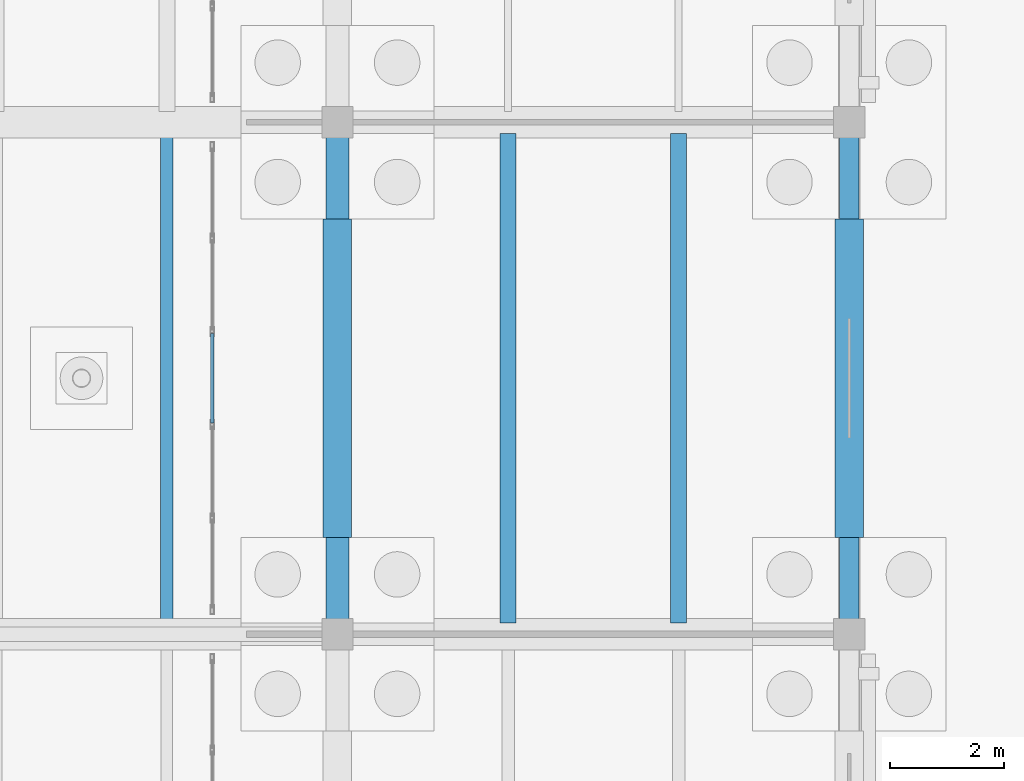
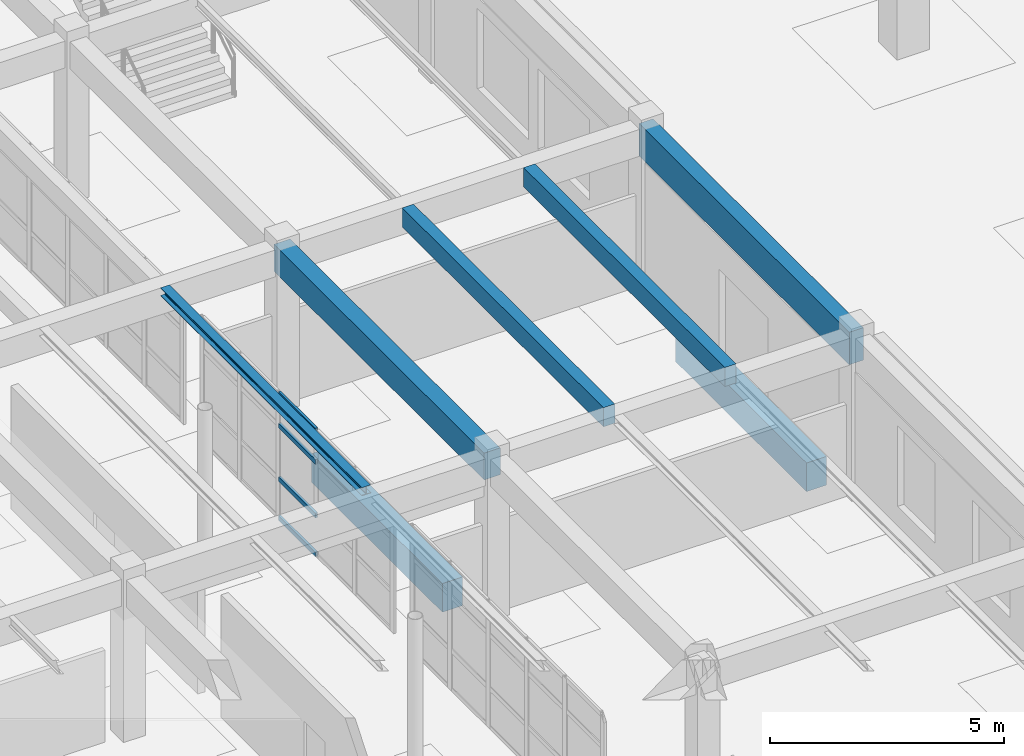
# One storey, part 38 of 186: 7 beams, 4 members, 1 element without a shape of its own.
"""IFC4 building model written with IfcOpenShell, lengths in metres."""

from ifc_helpers import new_model, si_unit, direction, frame, origin, origin_2d, place, context, subcontext, project, spatial, rectangle, hollow_rectangle, i_section, extrude, material, layer, layer_set, material_profile, profile_set, type_object, element, aggregate, save


model = new_model("IFC4")

# Units and contexts
model_context = context("Model", 3, precision=1e-05, world=origin(), true_north=direction((0.0, 1.0)))
body_context = subcontext(model_context, "Body", "Model", "MODEL_VIEW")
ifc_project = project(units=[si_unit("LENGTHUNIT", "METRE"), si_unit("AREAUNIT", "SQUARE_METRE"), si_unit("VOLUMEUNIT", "CUBIC_METRE"), si_unit("PLANEANGLEUNIT", "RADIAN"), si_unit("MASSUNIT", "GRAM", prefix="KILO")], contexts=[model_context])

# Site, building, storey
site_placement = place(None, origin())
site = spatial("IfcSite", under=ifc_project, at=site_placement, CompositionType="ELEMENT")
building_placement = place(site_placement, origin())
building = spatial("IfcBuilding", under=site, at=building_placement, Name="Ornek Quay Market", CompositionType="ELEMENT")
storey_placement = place(building_placement, origin())
storey = spatial("IfcBuildingStorey", under=building, at=storey_placement, Name="L00", CompositionType="ELEMENT", Elevation=0.0)

# Beams
ifc_material_1 = material(Name="Concrete C35/45", Category="concrete")
ifc_material_profile_1 = material_profile(ifc_material_1, rectangle(XDim=0.5, YDim=0.75, at=origin_2d()), Name="RC 500x750", Category="concrete")
ifc_profile_set_1 = profile_set([ifc_material_profile_1], Name="Concrete C35/45")
beam_type_1 = type_object("IfcBeamType", Name="BM-GB-500x750", PredefinedType="BEAM", material=ifc_profile_set_1)
for number, where, z_axis, x_axis, name in (
    (1, (18.0, 39.699951171875, -0.574951171875), (0.0, 1.0, 0.0), (-1.0, 0.0, 0.0), "Ground tie beam GB-068"),
    (2, (27.0, 39.699951171875, -0.574951171875), (0.0, 1.0, 0.0), (-1.0, 0.0, 0.0), "Ground tie beam GB-079"),
):
    element("IfcBeam", number, at=place(storey_placement, frame(where, z_axis=z_axis, x_axis=x_axis)), inside=storey, type_object=beam_type_1, Name=name, PredefinedType="BEAM", context=body_context, shape_type="SweptSolid", body=[
        extrude(rectangle(XDim=0.5, YDim=0.75, at=origin_2d()), origin(), (0.0, 0.0, 1.0), 5.60009765625),
    ])
ifc_material_profile_2 = material_profile(ifc_material_1, rectangle(XDim=0.280029296875, YDim=0.5, at=origin_2d()), Name="RC 280x500", Category="concrete")
ifc_profile_set_2 = profile_set([ifc_material_profile_2], Name="Concrete C35/45")
beam_type_2 = type_object("IfcBeamType", Name="BM-SEC-280x500", PredefinedType="JOIST", material=ifc_profile_set_2)
for number, where, z_axis, x_axis, name in (
    (3, (21.0, 38.19189453125, 3.969970703125), (0.0, 1.0, 0.0), (-1.0, 0.0, 0.0), "Secondary joist B-SC2-027"),
    (4, (24.0, 38.19189453125, 3.969970703125), (0.0, 1.0, 0.0), (-1.0, 0.0, 0.0), "Secondary joist B-SC2-028"),
):
    element("IfcBeam", number, at=place(storey_placement, frame(where, z_axis=z_axis, x_axis=x_axis)), inside=storey, type_object=beam_type_2, Name=name, PredefinedType="JOIST", context=body_context, shape_type="SweptSolid", body=[
        extrude(rectangle(XDim=0.280029296875, YDim=0.5, at=origin_2d()), origin(), (0.0, 0.0, 1.0), 8.6162109375),
    ])
ifc_material_2 = material(Name="Concrete C40/50", Category="concrete")
ifc_material_profile_3 = material_profile(ifc_material_2, rectangle(XDim=0.35009765625, YDim=0.85009765625, at=origin_2d()), Name="RC 350x850", Category="concrete")
ifc_profile_set_3 = profile_set([ifc_material_profile_3], Name="Concrete C40/50")
beam_type_3 = type_object("IfcBeamType", Name="BM-SPN-350x850", PredefinedType="SPANDREL", material=ifc_profile_set_3)
beam_1_placement = place(storey_placement, frame((27.0, 38.0, 3.794921875), z_axis=(0.0, 1.0, 0.0), x_axis=(-1.0, 0.0, 0.0)))
element("IfcBeam", 5, at=beam_1_placement, inside=storey, type_object=beam_type_3, Name="Primary beam B-SP1-062", PredefinedType="SPANDREL", context=body_context, shape_type="SweptSolid", body=[
    extrude(rectangle(XDim=0.35009765625, YDim=0.85009765625, at=origin_2d()), origin(), (0.0, 0.0, 1.0), 9.0),
])
ifc_material_3 = material(Name="Steel S355", Category="steel")
ifc_material_profile_4 = material_profile(ifc_material_3, i_section(OverallWidth=0.219970703125, OverallDepth=0.2099609375, WebThickness=0.007080078125, FlangeThickness=0.010986328125, FilletRadius=0.01806640625, at=origin_2d()), Name="HEA 220", Category="steel")
ifc_profile_set_4 = profile_set([ifc_material_profile_4], Name="Steel S355")
beam_type_4 = type_object("IfcBeamType", Name="BM-STL-HEA220", PredefinedType="BEAM", material=ifc_profile_set_4)
beam_2_placement = place(storey_placement, frame((15.0, 38.19189453125, 4.114990234375), z_axis=(0.0, 1.0, 0.0), x_axis=(-1.0, 0.0, 0.0)))
element("IfcBeam", 6, at=beam_2_placement, inside=storey, type_object=beam_type_4, Name="Secondary joist SB-13-006", PredefinedType="BEAM", context=body_context, shape_type="SweptSolid", body=[
    extrude(i_section(OverallWidth=0.219970703125, OverallDepth=0.2099609375, WebThickness=0.007080078125, FlangeThickness=0.010986328125, FilletRadius=0.01806640625, at=origin_2d()), origin(), (0.0, 0.0, 1.0), 8.6162109375),
])
ifc_material_profile_5 = material_profile(ifc_material_1, rectangle(XDim=0.39990234375, YDim=0.699951171875, at=origin_2d()), Name="RC 400x700", Category="concrete")
ifc_profile_set_5 = profile_set([ifc_material_profile_5], Name="Concrete C35/45")
beam_type_5 = type_object("IfcBeamType", Name="BM-WW-400x700", PredefinedType="BEAM", material=ifc_profile_set_5)
beam_3_placement = place(storey_placement, frame((18.0, 38.0, 3.8701171875), z_axis=(0.0, 1.0, 0.0), x_axis=(-1.0, 0.0, 0.0)))
element("IfcBeam", 7, at=beam_3_placement, inside=storey, type_object=beam_type_5, Name="Primary beam B-WW1-040", PredefinedType="BEAM", context=body_context, shape_type="SweptSolid", body=[
    extrude(rectangle(XDim=0.39990234375, YDim=0.699951171875, at=origin_2d()), origin(), (0.0, 0.0, 1.0), 9.0),
])

# Curtain wall, members
ifc_material_4 = material(Name="Anodised bronze aluminium and triple low-e glass", Category="aluminium")
ifc_layer = layer(ifc_material_4, 0.179931640625, Name="Anodised bronze aluminium and triple low-e glass", Category="aluminium")
ifc_layer_set = layer_set([ifc_layer], Name="Anodised bronze aluminium and triple low-e glass")
curtain_wall_type = type_object("IfcCurtainWallType", Name="CW-CONC-MOD1500", PredefinedType="USERDEFINED", material=ifc_layer_set)
curtain_wall_placement = place(storey_placement, origin())
curtain_wall = element("IfcCurtainWall", 8, at=curtain_wall_placement, inside=storey, type_object=curtain_wall_type, Name="Curtain wall CW-136", ObjectType="CURTAIN WALL", PredefinedType="USERDEFINED")
ifc_material_5 = material(Name="Anodised aluminium 6063-T6", Category="aluminium")
ifc_material_profile_6 = material_profile(ifc_material_5, hollow_rectangle(XDim=0.06005859375, YDim=0.1201171875, WallThickness=0.00390625, at=origin_2d()), Name="CW-TRN-60x120", Category="aluminium")
ifc_profile_set_6 = profile_set([ifc_material_profile_6], Name="Anodised aluminium 6063-T6")
member_type = type_object("IfcMemberType", Name="CW-TRN-60x120", PredefinedType="USERDEFINED", material=ifc_profile_set_6)
member_1_placement = place(storey_placement, frame((15.800048828125, 41.7099609375, 0.030029296875), z_axis=(0.0, 1.0, 0.0), x_axis=(-1.0, 0.0, 0.0)))
member_1 = element("IfcMember", 9, at=member_1_placement, type_object=member_type, Name="CW-136 transom 3.1", ObjectType="TRANSOM", PredefinedType="USERDEFINED", context=body_context, shape_type="SweptSolid", body=[
    extrude(hollow_rectangle(XDim=0.06005859375, YDim=0.1201171875, WallThickness=0.00390625, at=origin_2d()), origin(), (0.0, 0.0, 1.0), 1.580078125),
])
member_2_placement = place(storey_placement, frame((15.800048828125, 41.7099609375, 1.050048828125), z_axis=(0.0, 1.0, 0.0), x_axis=(-1.0, 0.0, 0.0)))
member_2 = element("IfcMember", 10, at=member_2_placement, type_object=member_type, Name="CW-136 transom 3.2", ObjectType="TRANSOM", PredefinedType="USERDEFINED", context=body_context, shape_type="SweptSolid", body=[
    extrude(hollow_rectangle(XDim=0.06005859375, YDim=0.1201171875, WallThickness=0.00390625, at=origin_2d()), origin(), (0.0, 0.0, 1.0), 1.580078125),
])
member_3_placement = place(storey_placement, frame((15.800048828125, 41.7099609375, 2.449951171875), z_axis=(0.0, 1.0, 0.0), x_axis=(-1.0, 0.0, 0.0)))
member_3 = element("IfcMember", 11, at=member_3_placement, type_object=member_type, Name="CW-136 transom 3.3", ObjectType="TRANSOM", PredefinedType="USERDEFINED", context=body_context, shape_type="SweptSolid", body=[
    extrude(hollow_rectangle(XDim=0.06005859375, YDim=0.1201171875, WallThickness=0.00390625, at=origin_2d()), origin(), (0.0, 0.0, 1.0), 1.580078125),
])
member_4_placement = place(storey_placement, frame((15.800048828125, 41.7099609375, 3.27001953125), z_axis=(0.0, 1.0, 0.0), x_axis=(-1.0, 0.0, 0.0)))
member_4 = element("IfcMember", 12, at=member_4_placement, type_object=member_type, Name="CW-136 transom 3.4", ObjectType="TRANSOM", PredefinedType="USERDEFINED", context=body_context, shape_type="SweptSolid", body=[
    extrude(hollow_rectangle(XDim=0.06005859375, YDim=0.1201171875, WallThickness=0.00390625, at=origin_2d()), origin(), (0.0, 0.0, 1.0), 1.580078125),
])
aggregate(curtain_wall, [member_1, member_2, member_3, member_4])

save(model, "model.ifc")
